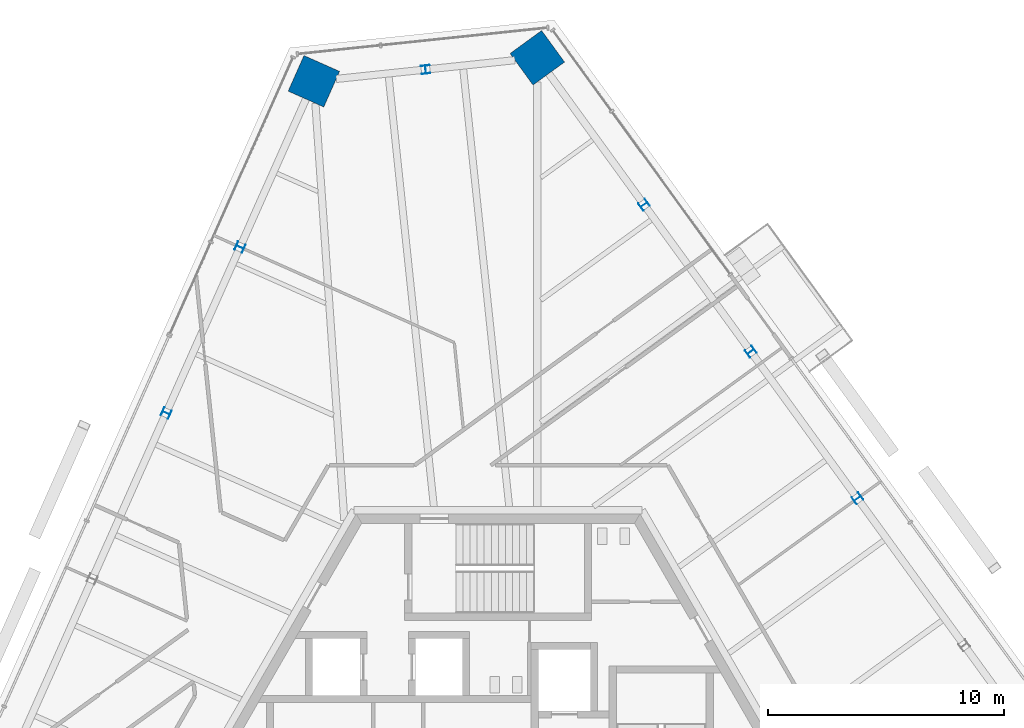
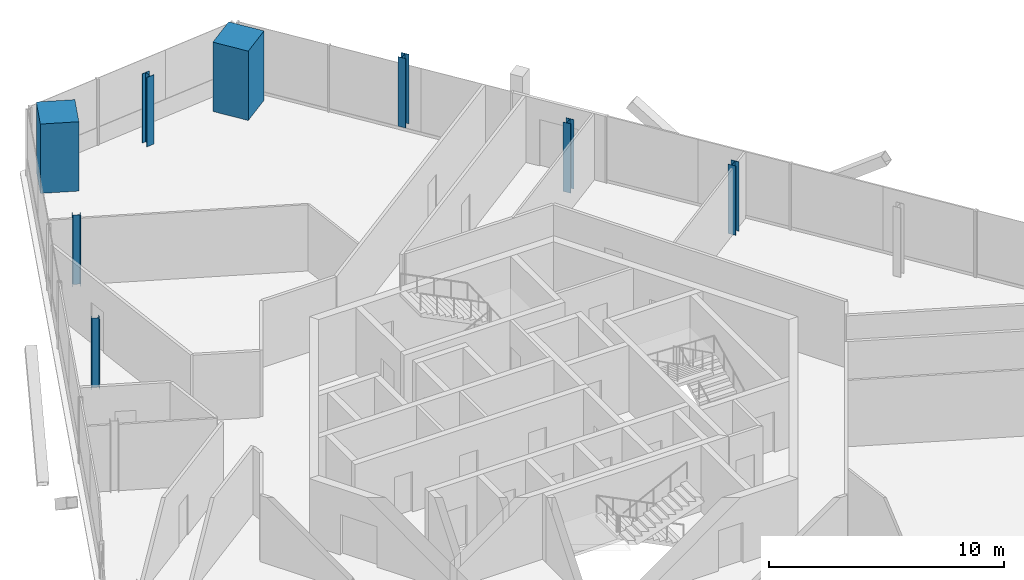
# One storey, part 3 of 18: 8 columns.
"""IFC4 building model written with IfcOpenShell, lengths in metres."""

from ifc_helpers import new_model, si_unit, direction, frame, origin, origin_2d, place, context, subcontext, project, spatial, rectangle, i_section, extrude, source, transform, mapped, material, material_profile, profile_set, type_object, element, save


model = new_model("IFC4")

# Units and contexts
model_context = context("Model", 3, precision=1e-05, world=origin(), true_north=direction((0.0, 1.0)))
body_context = subcontext(model_context, "Body", "Model", "MODEL_VIEW")
ifc_project = project(units=[si_unit("LENGTHUNIT", "METRE"), si_unit("AREAUNIT", "SQUARE_METRE"), si_unit("VOLUMEUNIT", "CUBIC_METRE"), si_unit("PLANEANGLEUNIT", "RADIAN"), si_unit("MASSUNIT", "GRAM", prefix="KILO")], contexts=[model_context])

# Site, building, storey
site_placement = place(None, origin())
site = spatial("IfcSite", under=ifc_project, at=site_placement, CompositionType="ELEMENT")
building_placement = place(site_placement, origin())
building = spatial("IfcBuilding", under=site, at=building_placement, Name="Triune Harvest Tower", CompositionType="ELEMENT")
storey_placement = place(building_placement, frame((0.0, 0.0, 237.699951171875)))
storey = spatial("IfcBuildingStorey", under=building, at=storey_placement, Name="L62", CompositionType="ELEMENT", Elevation=237.699951171875)

# Columns
ifc_material_1 = material(Name="Steel ASTM A992 Gr 50", Category="steel")
ifc_material_profile_1 = material_profile(ifc_material_1, i_section(OverallWidth=0.368408203125, OverallDepth=0.355712890625, WebThickness=0.01123046875, FlangeThickness=0.01806640625, at=origin_2d()), Name="W14x90")
ifc_profile_set_1 = profile_set([ifc_material_profile_1], Name="Steel ASTM A992 Gr 50")
column_type_1 = type_object("IfcColumnType", Name="PC-6 Perimeter column W14x90", PredefinedType="COLUMN", material=ifc_profile_set_1)
shared_shape_1 = source(origin(), body_context, "Body", "SweptSolid", [
    extrude(i_section(OverallWidth=0.368408203125, OverallDepth=0.355712890625, WebThickness=0.01123046875, FlangeThickness=0.01806640625, at=origin_2d()), origin(), (0.0, 0.0, 1.0), 3.60009765625),
])
for number, where, z_axis, x_axis, name in (
    (1, (15.19970703125, 11.043212890625, 0.0), (0.0, 0.0, 1.0), (-0.587785252292, 0.809016994375, 0.0), "col/L62/P3"),
    (2, (10.685791015625, 17.256103515625, 0.0), (0.0, 0.0, 1.0), (-0.587785252292, 0.809016994375, 0.0), "col/L62/P4"),
    (3, (6.172119140625, 23.468994140625, 1.199951171875), (0.0, 0.0, 1.0), (-0.587785252292, 0.809016994375, 0.0), "col/L62/P5"),
    (4, (-3.0673828125, 29.18505859375, 0.0), (0.0, 0.0, 1.0), (-0.994521895368, -0.104528463268, 0.0), "col/L62/P7"),
    (5, (-10.91650390625, 21.6728515625, 0.0), (0.0, 0.0, 1.0), (-0.406738237513, -0.913544747752, 0.0), "col/L62/P9"),
    (6, (-14.0400390625, 14.6572265625, 0.0), (0.0, 0.0, 1.0), (-0.406738237513, -0.913544747752, 0.0), "col/L62/P10"),
):
    element("IfcColumn", number, at=place(storey_placement, frame(where, z_axis=z_axis, x_axis=x_axis)), inside=storey, type_object=column_type_1, Name=name, PredefinedType="COLUMN", context=body_context, shape_type="MappedRepresentation", body=[
        mapped(shared_shape_1, transform((0.0, 0.0, 0.0), scale=1.0)),
    ])
ifc_material_2 = material(Name="Concrete 70 MPa", Category="concrete")
ifc_material_profile_2 = material_profile(ifc_material_2, rectangle(XDim=1.64990234375, YDim=1.64990234375, at=origin_2d()), Name="Composite 1650x1650")
ifc_profile_set_2 = profile_set([ifc_material_profile_2], Name="Concrete 70 MPa")
column_type_2 = type_object("IfcColumnType", Name="MC-6 Mega column Composite 1650x1650", PredefinedType="COLUMN", material=ifc_profile_set_2)
shared_shape_2 = source(origin(), body_context, "Body", "SweptSolid", [
    extrude(rectangle(XDim=1.64990234375, YDim=1.64990234375, at=origin_2d()), origin(), (0.0, 0.0, 1.0), 3.60009765625),
])
for number, where, z_axis, x_axis, name in (
    (7, (1.658203125, 29.681640625, 0.0), (0.0, 0.0, 1.0), (-0.587785252292, 0.809016994375, 0.0), "col/L62/M6"),
    (8, (-7.793212890625, 28.688232421875, 0.0), (0.0, 0.0, 1.0), (-0.406738237513, -0.913544747752, 0.0), "col/L62/M8"),
):
    element("IfcColumn", number, at=place(storey_placement, frame(where, z_axis=z_axis, x_axis=x_axis)), inside=storey, type_object=column_type_2, Name=name, PredefinedType="COLUMN", context=body_context, shape_type="MappedRepresentation", body=[
        mapped(shared_shape_2, transform((0.0, 0.0, 0.0), scale=1.0)),
    ])

save(model, "model.ifc")
